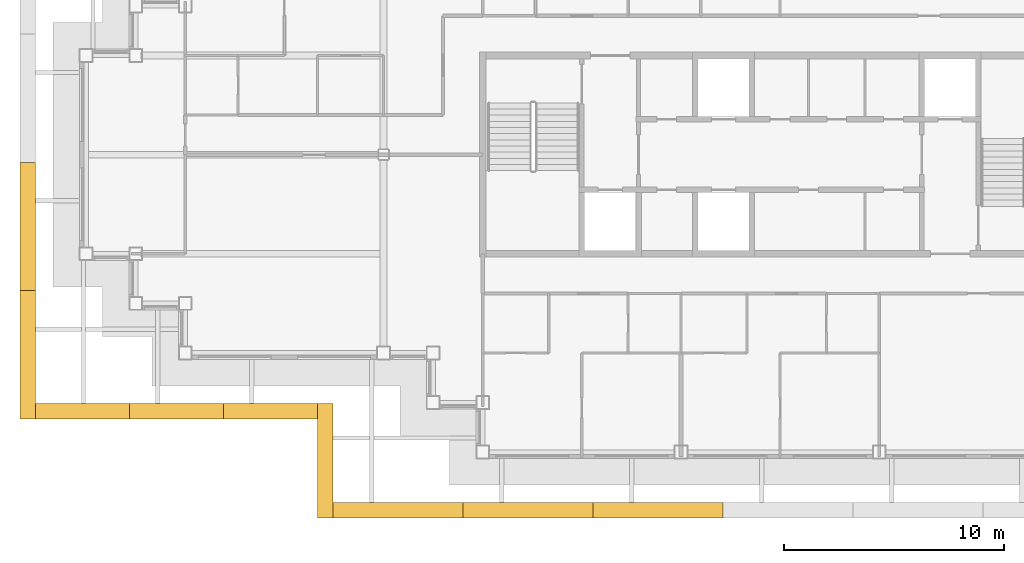
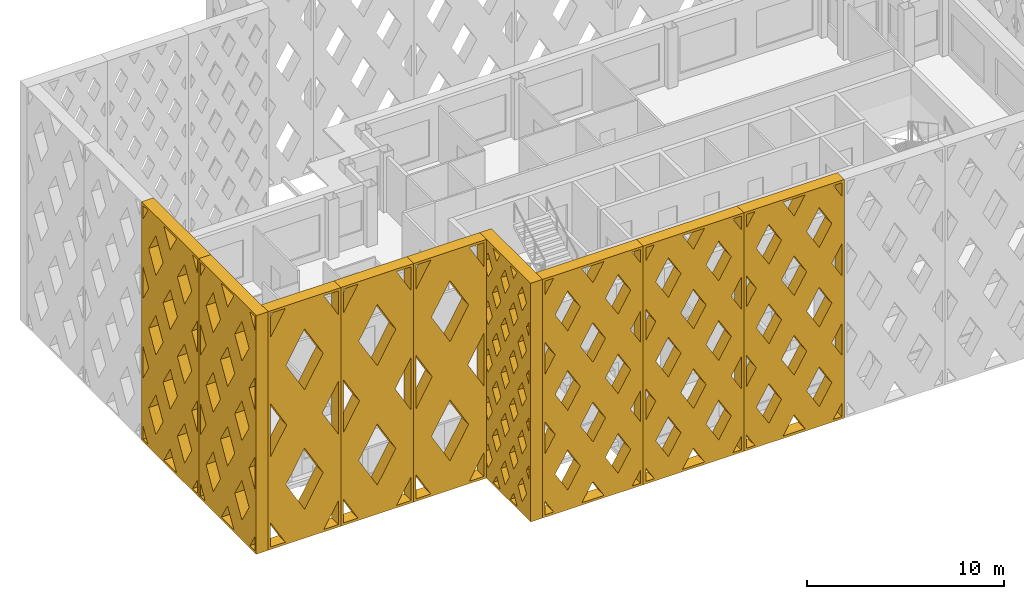
# One storey, part 9 of 15: 9 shading devices.
"""IFC4 building model written with IfcOpenShell, lengths in metres."""

from ifc_helpers import new_model, si_unit, direction, frame, origin, place, context, subcontext, project, spatial, polyline, outline, extrude, material, type_object, element, save


model = new_model("IFC4")

# Units and contexts
model_context = context("Model", 3, precision=1e-05, world=origin(), true_north=direction((0.0, 1.0)))
body_context = subcontext(model_context, "Body", "Model", "MODEL_VIEW")
ifc_project = project(units=[si_unit("LENGTHUNIT", "METRE"), si_unit("AREAUNIT", "SQUARE_METRE"), si_unit("VOLUMEUNIT", "CUBIC_METRE"), si_unit("PLANEANGLEUNIT", "RADIAN"), si_unit("MASSUNIT", "GRAM", prefix="KILO")], contexts=[model_context])

# Site, building, storey
site_placement = place(None, origin())
site = spatial("IfcSite", under=ifc_project, at=site_placement, CompositionType="ELEMENT")
building_placement = place(site_placement, origin())
building = spatial("IfcBuilding", under=site, at=building_placement, Name="Caravel Reach Hotel and Residences", CompositionType="ELEMENT")
storey_placement = place(building_placement, frame((0.0, 0.0, 252.699951171875)))
storey = spatial("IfcBuildingStorey", under=building, at=storey_placement, Name="L64", CompositionType="ELEMENT", Elevation=252.699951171875)

# Shading devices
ifc_material_1 = material(Name="Black powder-coated aluminium", Category="aluminium")
shading_device_type_1 = type_object("IfcShadingDeviceType", Name="Diamond lattice screen panel 4267 x 14800", PredefinedType="USERDEFINED", material=ifc_material_1)
for number, where, z_axis, x_axis, name in (
    (1, (-2.300048828125, 15.699951171875, 0.0), (0.0, -1.0, 0.0), (1.0, 0.0, 0.0), "Lattice screen L64-L67 1.1"),
    (2, (1.966552734375, 15.699951171875, 0.0), (0.0, -1.0, 0.0), (1.0, 0.0, 0.0), "Lattice screen L64-L67 1.2"),
    (3, (6.2333984375, 15.699951171875, 0.0), (0.0, -1.0, 0.0), (1.0, 0.0, 0.0), "Lattice screen L64-L67 1.3"),
):
    element("IfcShadingDevice", number, at=place(storey_placement, frame(where, z_axis=z_axis, x_axis=x_axis)), inside=storey, type_object=shading_device_type_1, Name=name, ObjectType="SCREEN", PredefinedType="USERDEFINED", context=body_context, shape_type="SweptSolid", body=[
        extrude(outline(polyline([(0.0, 0.0), (4.2666015625, 0.0), (4.2666015625, 14.800048828125), (0.0, 14.800048828125), (0.0, 0.0)]), holes=[polyline([(1.005615234375, 0.14990234375), (0.14990234375, 1.634033203125), (0.14990234375, 0.14990234375), (1.005615234375, 0.14990234375)]), polyline([(1.092041015625, 7.39990234375), (0.14990234375, 9.033935546875), (0.14990234375, 5.76611328125), (1.092041015625, 7.39990234375)]), polyline([(0.14990234375, 13.166015625), (1.005615234375, 14.64990234375), (0.14990234375, 14.64990234375), (0.14990234375, 13.166015625)]), polyline([(2.13330078125, 5.593994140625), (1.041259765625, 3.699951171875), (2.13330078125, 1.805908203125), (3.225341796875, 3.699951171875), (2.13330078125, 5.593994140625)]), polyline([(2.13330078125, 12.994140625), (1.041259765625, 11.10009765625), (2.13330078125, 9.205810546875), (3.225341796875, 11.10009765625), (2.13330078125, 12.994140625)]), polyline([(4.11669921875, 1.634033203125), (3.260986328125, 0.14990234375), (4.11669921875, 0.14990234375), (4.11669921875, 1.634033203125)]), polyline([(3.174560546875, 7.39990234375), (4.11669921875, 5.76611328125), (4.11669921875, 9.033935546875), (3.174560546875, 7.39990234375)]), polyline([(3.260986328125, 14.64990234375), (4.11669921875, 13.166015625), (4.11669921875, 14.64990234375), (3.260986328125, 14.64990234375)])]), origin(), (0.0, 0.0, 1.0), 0.699951171875),
    ])
ifc_material_2 = material(Name="Black powder-coated aluminium", Category="aluminium")
shading_device_type_2 = type_object("IfcShadingDeviceType", Name="Diamond lattice screen panel 5200 x 14800", PredefinedType="USERDEFINED", material=ifc_material_2)
shading_device_1_placement = place(storey_placement, frame((11.199951171875, 15.699951171875, 0.0), z_axis=(-1.0, 0.0, 0.0), x_axis=(0.0, -1.0, 0.0)))
element("IfcShadingDevice", 4, at=shading_device_1_placement, inside=storey, type_object=shading_device_type_2, Name="Lattice screen L64-L67 2.1", ObjectType="SCREEN", PredefinedType="USERDEFINED", context=body_context, shape_type="SweptSolid", body=[
    extrude(outline(polyline([(0.0, 0.0), (5.199951171875, 0.0), (5.199951171875, 14.800048828125), (0.0, 14.800048828125), (0.0, 0.0)]), holes=[polyline([(0.436767578125, 2.9599609375), (0.14990234375, 3.449462890625), (0.14990234375, 2.470458984375), (0.436767578125, 2.9599609375)]), polyline([(0.436767578125, 5.919921875), (0.14990234375, 6.409423828125), (0.14990234375, 5.430419921875), (0.436767578125, 5.919921875)]), polyline([(0.436767578125, 8.8798828125), (0.14990234375, 9.36962890625), (0.14990234375, 8.390380859375), (0.436767578125, 8.8798828125)]), polyline([(0.436767578125, 11.840087890625), (0.14990234375, 12.32958984375), (0.14990234375, 11.3505859375), (0.436767578125, 11.840087890625)]), polyline([(0.86669921875, 2.2255859375), (0.429931640625, 1.47998046875), (0.86669921875, 0.734375), (1.30322265625, 1.47998046875), (0.86669921875, 2.2255859375)]), polyline([(0.86669921875, 5.185791015625), (0.429931640625, 4.43994140625), (0.86669921875, 3.6943359375), (1.30322265625, 4.43994140625), (0.86669921875, 5.185791015625)]), polyline([(0.86669921875, 8.145751953125), (0.429931640625, 7.39990234375), (0.86669921875, 6.654296875), (1.30322265625, 7.39990234375), (0.86669921875, 8.145751953125)]), polyline([(0.86669921875, 11.105712890625), (0.429931640625, 10.360107421875), (0.86669921875, 9.6142578125), (1.30322265625, 10.360107421875), (0.86669921875, 11.105712890625)]), polyline([(0.86669921875, 14.065673828125), (0.429931640625, 13.320068359375), (0.86669921875, 12.57421875), (1.30322265625, 13.320068359375), (0.86669921875, 14.065673828125)]), polyline([(1.7333984375, 0.74560546875), (1.384521484375, 0.14990234375), (2.08203125, 0.14990234375), (1.7333984375, 0.74560546875)]), polyline([(1.7333984375, 3.70556640625), (1.296630859375, 2.9599609375), (1.7333984375, 2.21435546875), (2.169921875, 2.9599609375), (1.7333984375, 3.70556640625)]), polyline([(1.7333984375, 6.665771484375), (1.296630859375, 5.919921875), (1.7333984375, 5.17431640625), (2.169921875, 5.919921875), (1.7333984375, 6.665771484375)]), polyline([(1.7333984375, 9.625732421875), (1.296630859375, 8.8798828125), (1.7333984375, 8.13427734375), (2.169921875, 8.8798828125), (1.7333984375, 9.625732421875)]), polyline([(1.7333984375, 12.585693359375), (1.296630859375, 11.840087890625), (1.7333984375, 11.09423828125), (2.169921875, 11.840087890625), (1.7333984375, 12.585693359375)]), polyline([(1.7333984375, 14.054443359375), (2.08203125, 14.64990234375), (1.384521484375, 14.64990234375), (1.7333984375, 14.054443359375)]), polyline([(2.60009765625, 2.2255859375), (2.163330078125, 1.47998046875), (2.60009765625, 0.734375), (3.03662109375, 1.47998046875), (2.60009765625, 2.2255859375)]), polyline([(2.60009765625, 5.185791015625), (2.163330078125, 4.43994140625), (2.60009765625, 3.6943359375), (3.03662109375, 4.43994140625), (2.60009765625, 5.185791015625)]), polyline([(2.60009765625, 8.145751953125), (2.163330078125, 7.39990234375), (2.60009765625, 6.654296875), (3.03662109375, 7.39990234375), (2.60009765625, 8.145751953125)]), polyline([(2.60009765625, 11.105712890625), (2.163330078125, 10.360107421875), (2.60009765625, 9.6142578125), (3.03662109375, 10.360107421875), (2.60009765625, 11.105712890625)]), polyline([(2.60009765625, 14.065673828125), (2.163330078125, 13.320068359375), (2.60009765625, 12.57421875), (3.03662109375, 13.320068359375), (2.60009765625, 14.065673828125)]), polyline([(3.466552734375, 0.74560546875), (3.117919921875, 0.14990234375), (3.8154296875, 0.14990234375), (3.466552734375, 0.74560546875)]), polyline([(3.466552734375, 3.70556640625), (3.030029296875, 2.9599609375), (3.466552734375, 2.21435546875), (3.9033203125, 2.9599609375), (3.466552734375, 3.70556640625)]), polyline([(3.466552734375, 6.665771484375), (3.030029296875, 5.919921875), (3.466552734375, 5.17431640625), (3.9033203125, 5.919921875), (3.466552734375, 6.665771484375)]), polyline([(3.466552734375, 9.625732421875), (3.030029296875, 8.8798828125), (3.466552734375, 8.13427734375), (3.9033203125, 8.8798828125), (3.466552734375, 9.625732421875)]), polyline([(3.466552734375, 12.585693359375), (3.030029296875, 11.840087890625), (3.466552734375, 11.09423828125), (3.9033203125, 11.840087890625), (3.466552734375, 12.585693359375)]), polyline([(3.466552734375, 14.054443359375), (3.8154296875, 14.64990234375), (3.117919921875, 14.64990234375), (3.466552734375, 14.054443359375)]), polyline([(4.333251953125, 2.2255859375), (3.896728515625, 1.47998046875), (4.333251953125, 0.734375), (4.77001953125, 1.47998046875), (4.333251953125, 2.2255859375)]), polyline([(4.333251953125, 5.185791015625), (3.896728515625, 4.43994140625), (4.333251953125, 3.6943359375), (4.77001953125, 4.43994140625), (4.333251953125, 5.185791015625)]), polyline([(4.333251953125, 8.145751953125), (3.896728515625, 7.39990234375), (4.333251953125, 6.654296875), (4.77001953125, 7.39990234375), (4.333251953125, 8.145751953125)]), polyline([(4.333251953125, 11.105712890625), (3.896728515625, 10.360107421875), (4.333251953125, 9.6142578125), (4.77001953125, 10.360107421875), (4.333251953125, 11.105712890625)]), polyline([(4.333251953125, 14.065673828125), (3.896728515625, 13.320068359375), (4.333251953125, 12.57421875), (4.77001953125, 13.320068359375), (4.333251953125, 14.065673828125)]), polyline([(4.763427734375, 2.9599609375), (5.050048828125, 2.470458984375), (5.050048828125, 3.449462890625), (4.763427734375, 2.9599609375)]), polyline([(4.763427734375, 5.919921875), (5.050048828125, 5.430419921875), (5.050048828125, 6.409423828125), (4.763427734375, 5.919921875)]), polyline([(4.763427734375, 8.8798828125), (5.050048828125, 8.390380859375), (5.050048828125, 9.36962890625), (4.763427734375, 8.8798828125)]), polyline([(4.763427734375, 11.840087890625), (5.050048828125, 11.3505859375), (5.050048828125, 12.32958984375), (4.763427734375, 11.840087890625)])]), origin(), (0.0, 0.0, 1.0), 0.699951171875),
])
ifc_material_3 = material(Name="Black powder-coated aluminium", Category="aluminium")
shading_device_type_3 = type_object("IfcShadingDeviceType", Name="Diamond lattice screen panel 5825 x 14800", PredefinedType="USERDEFINED", material=ifc_material_3)
shading_device_2_placement = place(storey_placement, frame((-2.300048828125, 26.64990234375, 0.0), z_axis=(-1.0, 0.0, 0.0), x_axis=(0.0, -1.0, 0.0)))
element("IfcShadingDevice", 5, at=shading_device_2_placement, inside=storey, type_object=shading_device_type_3, Name="Lattice screen L64-L67 8.3", ObjectType="SCREEN", PredefinedType="USERDEFINED", context=body_context, shape_type="SweptSolid", body=[
    extrude(outline(polyline([(0.0, 0.0), (5.824951171875, 0.0), (5.824951171875, 14.800048828125), (0.0, 14.800048828125), (0.0, 0.0)]), holes=[polyline([(0.64208984375, 0.14990234375), (0.14990234375, 0.9833984375), (0.14990234375, 0.14990234375), (0.64208984375, 0.14990234375)]), polyline([(0.730712890625, 4.933349609375), (0.14990234375, 5.916748046875), (0.14990234375, 3.949951171875), (0.730712890625, 4.933349609375)]), polyline([(0.730712890625, 9.86669921875), (0.14990234375, 10.85009765625), (0.14990234375, 8.88330078125), (0.730712890625, 9.86669921875)]), polyline([(0.14990234375, 13.816650390625), (0.64208984375, 14.64990234375), (0.14990234375, 14.64990234375), (0.14990234375, 13.816650390625)]), polyline([(1.456298828125, 3.7041015625), (0.7255859375, 2.466552734375), (1.456298828125, 1.229248046875), (2.186767578125, 2.466552734375), (1.456298828125, 3.7041015625)]), polyline([(1.456298828125, 8.637451171875), (0.7255859375, 7.39990234375), (1.456298828125, 6.16259765625), (2.186767578125, 7.39990234375), (1.456298828125, 8.637451171875)]), polyline([(1.456298828125, 13.57080078125), (0.7255859375, 12.333251953125), (1.456298828125, 11.095703125), (2.186767578125, 12.333251953125), (1.456298828125, 13.57080078125)]), polyline([(2.91259765625, 1.237548828125), (2.2705078125, 0.14990234375), (3.554443359375, 0.14990234375), (2.91259765625, 1.237548828125)]), polyline([(2.91259765625, 6.1708984375), (2.181884765625, 4.933349609375), (2.91259765625, 3.69580078125), (3.64306640625, 4.933349609375), (2.91259765625, 6.1708984375)]), polyline([(2.91259765625, 11.104248046875), (2.181884765625, 9.86669921875), (2.91259765625, 8.629150390625), (3.64306640625, 9.86669921875), (2.91259765625, 11.104248046875)]), polyline([(2.91259765625, 13.5625), (3.554443359375, 14.64990234375), (2.2705078125, 14.64990234375), (2.91259765625, 13.5625)]), polyline([(4.36865234375, 3.7041015625), (3.63818359375, 2.466552734375), (4.36865234375, 1.229248046875), (5.099365234375, 2.466552734375), (4.36865234375, 3.7041015625)]), polyline([(4.36865234375, 8.637451171875), (3.63818359375, 7.39990234375), (4.36865234375, 6.16259765625), (5.099365234375, 7.39990234375), (4.36865234375, 8.637451171875)]), polyline([(4.36865234375, 13.57080078125), (3.63818359375, 12.333251953125), (4.36865234375, 11.095703125), (5.099365234375, 12.333251953125), (4.36865234375, 13.57080078125)]), polyline([(5.675048828125, 0.9833984375), (5.182861328125, 0.14990234375), (5.675048828125, 0.14990234375), (5.675048828125, 0.9833984375)]), polyline([(5.094482421875, 4.933349609375), (5.675048828125, 3.949951171875), (5.675048828125, 5.916748046875), (5.094482421875, 4.933349609375)]), polyline([(5.094482421875, 9.86669921875), (5.675048828125, 8.88330078125), (5.675048828125, 10.85009765625), (5.094482421875, 9.86669921875)]), polyline([(5.182861328125, 14.64990234375), (5.675048828125, 13.816650390625), (5.675048828125, 14.64990234375), (5.182861328125, 14.64990234375)])]), origin(), (0.0, 0.0, 1.0), 0.699951171875),
])
shading_device_3_placement = place(storey_placement, frame((-2.300048828125, 20.824951171875, 0.0), z_axis=(-1.0, 0.0, 0.0), x_axis=(0.0, -1.0, 0.0)))
element("IfcShadingDevice", 6, at=shading_device_3_placement, inside=storey, type_object=shading_device_type_3, Name="Lattice screen L64-L67 8.4", ObjectType="SCREEN", PredefinedType="USERDEFINED", context=body_context, shape_type="SweptSolid", body=[
    extrude(outline(polyline([(0.0, 0.0), (5.824951171875, 0.0), (5.824951171875, 14.800048828125), (0.0, 14.800048828125), (0.0, 0.0)]), holes=[polyline([(0.64208984375, 0.14990234375), (0.14990234375, 0.9833984375), (0.14990234375, 0.14990234375), (0.64208984375, 0.14990234375)]), polyline([(0.730712890625, 4.933349609375), (0.14990234375, 5.916748046875), (0.14990234375, 3.949951171875), (0.730712890625, 4.933349609375)]), polyline([(0.730712890625, 9.86669921875), (0.14990234375, 10.85009765625), (0.14990234375, 8.88330078125), (0.730712890625, 9.86669921875)]), polyline([(0.14990234375, 13.816650390625), (0.64208984375, 14.64990234375), (0.14990234375, 14.64990234375), (0.14990234375, 13.816650390625)]), polyline([(1.456298828125, 3.7041015625), (0.7255859375, 2.466552734375), (1.456298828125, 1.229248046875), (2.186767578125, 2.466552734375), (1.456298828125, 3.7041015625)]), polyline([(1.456298828125, 8.637451171875), (0.7255859375, 7.39990234375), (1.456298828125, 6.16259765625), (2.186767578125, 7.39990234375), (1.456298828125, 8.637451171875)]), polyline([(1.456298828125, 13.57080078125), (0.7255859375, 12.333251953125), (1.456298828125, 11.095703125), (2.186767578125, 12.333251953125), (1.456298828125, 13.57080078125)]), polyline([(2.91259765625, 1.237548828125), (2.2705078125, 0.14990234375), (3.554443359375, 0.14990234375), (2.91259765625, 1.237548828125)]), polyline([(2.91259765625, 6.1708984375), (2.181884765625, 4.933349609375), (2.91259765625, 3.69580078125), (3.64306640625, 4.933349609375), (2.91259765625, 6.1708984375)]), polyline([(2.91259765625, 11.104248046875), (2.181884765625, 9.86669921875), (2.91259765625, 8.629150390625), (3.64306640625, 9.86669921875), (2.91259765625, 11.104248046875)]), polyline([(2.91259765625, 13.5625), (3.554443359375, 14.64990234375), (2.2705078125, 14.64990234375), (2.91259765625, 13.5625)]), polyline([(4.36865234375, 3.7041015625), (3.63818359375, 2.466552734375), (4.36865234375, 1.229248046875), (5.099365234375, 2.466552734375), (4.36865234375, 3.7041015625)]), polyline([(4.36865234375, 8.637451171875), (3.63818359375, 7.39990234375), (4.36865234375, 6.16259765625), (5.099365234375, 7.39990234375), (4.36865234375, 8.637451171875)]), polyline([(4.36865234375, 13.57080078125), (3.63818359375, 12.333251953125), (4.36865234375, 11.095703125), (5.099365234375, 12.333251953125), (4.36865234375, 13.57080078125)]), polyline([(5.675048828125, 0.9833984375), (5.182861328125, 0.14990234375), (5.675048828125, 0.14990234375), (5.675048828125, 0.9833984375)]), polyline([(5.094482421875, 4.933349609375), (5.675048828125, 3.949951171875), (5.675048828125, 5.916748046875), (5.094482421875, 4.933349609375)]), polyline([(5.094482421875, 9.86669921875), (5.675048828125, 8.88330078125), (5.675048828125, 10.85009765625), (5.094482421875, 9.86669921875)]), polyline([(5.182861328125, 14.64990234375), (5.675048828125, 13.816650390625), (5.675048828125, 14.64990234375), (5.182861328125, 14.64990234375)])]), origin(), (0.0, 0.0, 1.0), 0.699951171875),
])
ifc_material_4 = material(Name="Black powder-coated aluminium", Category="aluminium")
shading_device_type_4 = type_object("IfcShadingDeviceType", Name="Diamond lattice screen panel 5900 x 14800", PredefinedType="USERDEFINED", material=ifc_material_4)
shading_device_4_placement = place(storey_placement, frame((11.199951171875, 11.199951171875, 0.0), z_axis=(0.0, -1.0, 0.0), x_axis=(1.0, 0.0, 0.0)))
element("IfcShadingDevice", 7, at=shading_device_4_placement, inside=storey, type_object=shading_device_type_4, Name="Lattice screen L64-L67 3.1", ObjectType="SCREEN", PredefinedType="USERDEFINED", context=body_context, shape_type="SweptSolid", body=[
    extrude(outline(polyline([(0.0, 0.0), (5.89990234375, 0.0), (5.89990234375, 14.800048828125), (0.0, 14.800048828125), (0.0, 0.0)]), holes=[polyline([(0.64990234375, 0.14990234375), (0.14990234375, 0.986083984375), (0.14990234375, 0.14990234375), (0.64990234375, 0.14990234375)]), polyline([(0.739501953125, 4.933349609375), (0.14990234375, 5.91943359375), (0.14990234375, 3.947265625), (0.739501953125, 4.933349609375)]), polyline([(0.739501953125, 9.86669921875), (0.14990234375, 10.852783203125), (0.14990234375, 8.880615234375), (0.739501953125, 9.86669921875)]), polyline([(0.14990234375, 13.81396484375), (0.64990234375, 14.64990234375), (0.14990234375, 14.64990234375), (0.14990234375, 13.81396484375)]), polyline([(1.47509765625, 3.70361328125), (0.7353515625, 2.466552734375), (1.47509765625, 1.229736328125), (2.214599609375, 2.466552734375), (1.47509765625, 3.70361328125)]), polyline([(1.47509765625, 8.636962890625), (0.7353515625, 7.39990234375), (1.47509765625, 6.1630859375), (2.214599609375, 7.39990234375), (1.47509765625, 8.636962890625)]), polyline([(1.47509765625, 13.570068359375), (0.7353515625, 12.333251953125), (1.47509765625, 11.096435546875), (2.214599609375, 12.333251953125), (1.47509765625, 13.570068359375)]), polyline([(2.949951171875, 1.23681640625), (2.300048828125, 0.14990234375), (3.599853515625, 0.14990234375), (2.949951171875, 1.23681640625)]), polyline([(2.949951171875, 6.170166015625), (2.21044921875, 4.933349609375), (2.949951171875, 3.696533203125), (3.689697265625, 4.933349609375), (2.949951171875, 6.170166015625)]), polyline([(2.949951171875, 11.103515625), (2.21044921875, 9.86669921875), (2.949951171875, 8.6298828125), (3.689697265625, 9.86669921875), (2.949951171875, 11.103515625)]), polyline([(2.949951171875, 13.563232421875), (3.599853515625, 14.64990234375), (2.300048828125, 14.64990234375), (2.949951171875, 13.563232421875)]), polyline([(4.425048828125, 3.70361328125), (3.685302734375, 2.466552734375), (4.425048828125, 1.229736328125), (5.16455078125, 2.466552734375), (4.425048828125, 3.70361328125)]), polyline([(4.425048828125, 8.636962890625), (3.685302734375, 7.39990234375), (4.425048828125, 6.1630859375), (5.16455078125, 7.39990234375), (4.425048828125, 8.636962890625)]), polyline([(4.425048828125, 13.570068359375), (3.685302734375, 12.333251953125), (4.425048828125, 11.096435546875), (5.16455078125, 12.333251953125), (4.425048828125, 13.570068359375)]), polyline([(5.75, 0.986083984375), (5.25, 0.14990234375), (5.75, 0.14990234375), (5.75, 0.986083984375)]), polyline([(5.160400390625, 4.933349609375), (5.75, 3.947265625), (5.75, 5.91943359375), (5.160400390625, 4.933349609375)]), polyline([(5.160400390625, 9.86669921875), (5.75, 8.880615234375), (5.75, 10.852783203125), (5.160400390625, 9.86669921875)]), polyline([(5.25, 14.64990234375), (5.75, 13.81396484375), (5.75, 14.64990234375), (5.25, 14.64990234375)])]), origin(), (0.0, 0.0, 1.0), 0.699951171875),
])
shading_device_5_placement = place(storey_placement, frame((17.10009765625, 11.199951171875, 0.0), z_axis=(0.0, -1.0, 0.0), x_axis=(1.0, 0.0, 0.0)))
element("IfcShadingDevice", 8, at=shading_device_5_placement, inside=storey, type_object=shading_device_type_4, Name="Lattice screen L64-L67 3.2", ObjectType="SCREEN", PredefinedType="USERDEFINED", context=body_context, shape_type="SweptSolid", body=[
    extrude(outline(polyline([(0.0, 0.0), (5.89990234375, 0.0), (5.89990234375, 14.800048828125), (0.0, 14.800048828125), (0.0, 0.0)]), holes=[polyline([(0.64990234375, 0.14990234375), (0.14990234375, 0.986083984375), (0.14990234375, 0.14990234375), (0.64990234375, 0.14990234375)]), polyline([(0.739501953125, 4.933349609375), (0.14990234375, 5.91943359375), (0.14990234375, 3.947265625), (0.739501953125, 4.933349609375)]), polyline([(0.739501953125, 9.86669921875), (0.14990234375, 10.852783203125), (0.14990234375, 8.880615234375), (0.739501953125, 9.86669921875)]), polyline([(0.14990234375, 13.81396484375), (0.64990234375, 14.64990234375), (0.14990234375, 14.64990234375), (0.14990234375, 13.81396484375)]), polyline([(1.47509765625, 3.70361328125), (0.7353515625, 2.466552734375), (1.47509765625, 1.229736328125), (2.214599609375, 2.466552734375), (1.47509765625, 3.70361328125)]), polyline([(1.47509765625, 8.636962890625), (0.7353515625, 7.39990234375), (1.47509765625, 6.1630859375), (2.214599609375, 7.39990234375), (1.47509765625, 8.636962890625)]), polyline([(1.47509765625, 13.570068359375), (0.7353515625, 12.333251953125), (1.47509765625, 11.096435546875), (2.214599609375, 12.333251953125), (1.47509765625, 13.570068359375)]), polyline([(2.949951171875, 1.23681640625), (2.300048828125, 0.14990234375), (3.599853515625, 0.14990234375), (2.949951171875, 1.23681640625)]), polyline([(2.949951171875, 6.170166015625), (2.21044921875, 4.933349609375), (2.949951171875, 3.696533203125), (3.689697265625, 4.933349609375), (2.949951171875, 6.170166015625)]), polyline([(2.949951171875, 11.103515625), (2.21044921875, 9.86669921875), (2.949951171875, 8.6298828125), (3.689697265625, 9.86669921875), (2.949951171875, 11.103515625)]), polyline([(2.949951171875, 13.563232421875), (3.599853515625, 14.64990234375), (2.300048828125, 14.64990234375), (2.949951171875, 13.563232421875)]), polyline([(4.425048828125, 3.70361328125), (3.685302734375, 2.466552734375), (4.425048828125, 1.229736328125), (5.16455078125, 2.466552734375), (4.425048828125, 3.70361328125)]), polyline([(4.425048828125, 8.636962890625), (3.685302734375, 7.39990234375), (4.425048828125, 6.1630859375), (5.16455078125, 7.39990234375), (4.425048828125, 8.636962890625)]), polyline([(4.425048828125, 13.570068359375), (3.685302734375, 12.333251953125), (4.425048828125, 11.096435546875), (5.16455078125, 12.333251953125), (4.425048828125, 13.570068359375)]), polyline([(5.75, 0.986083984375), (5.25, 0.14990234375), (5.75, 0.14990234375), (5.75, 0.986083984375)]), polyline([(5.160400390625, 4.933349609375), (5.75, 3.947265625), (5.75, 5.91943359375), (5.160400390625, 4.933349609375)]), polyline([(5.160400390625, 9.86669921875), (5.75, 8.880615234375), (5.75, 10.852783203125), (5.160400390625, 9.86669921875)]), polyline([(5.25, 14.64990234375), (5.75, 13.81396484375), (5.75, 14.64990234375), (5.25, 14.64990234375)])]), origin(), (0.0, 0.0, 1.0), 0.699951171875),
])
shading_device_6_placement = place(storey_placement, frame((23.0, 11.199951171875, 0.0), z_axis=(0.0, -1.0, 0.0), x_axis=(1.0, 0.0, 0.0)))
element("IfcShadingDevice", 9, at=shading_device_6_placement, inside=storey, type_object=shading_device_type_4, Name="Lattice screen L64-L67 3.3", ObjectType="SCREEN", PredefinedType="USERDEFINED", context=body_context, shape_type="SweptSolid", body=[
    extrude(outline(polyline([(0.0, 0.0), (5.89990234375, 0.0), (5.89990234375, 14.800048828125), (0.0, 14.800048828125), (0.0, 0.0)]), holes=[polyline([(0.64990234375, 0.14990234375), (0.14990234375, 0.986083984375), (0.14990234375, 0.14990234375), (0.64990234375, 0.14990234375)]), polyline([(0.739501953125, 4.933349609375), (0.14990234375, 5.91943359375), (0.14990234375, 3.947265625), (0.739501953125, 4.933349609375)]), polyline([(0.739501953125, 9.86669921875), (0.14990234375, 10.852783203125), (0.14990234375, 8.880615234375), (0.739501953125, 9.86669921875)]), polyline([(0.14990234375, 13.81396484375), (0.64990234375, 14.64990234375), (0.14990234375, 14.64990234375), (0.14990234375, 13.81396484375)]), polyline([(1.47509765625, 3.70361328125), (0.7353515625, 2.466552734375), (1.47509765625, 1.229736328125), (2.214599609375, 2.466552734375), (1.47509765625, 3.70361328125)]), polyline([(1.47509765625, 8.636962890625), (0.7353515625, 7.39990234375), (1.47509765625, 6.1630859375), (2.214599609375, 7.39990234375), (1.47509765625, 8.636962890625)]), polyline([(1.47509765625, 13.570068359375), (0.7353515625, 12.333251953125), (1.47509765625, 11.096435546875), (2.214599609375, 12.333251953125), (1.47509765625, 13.570068359375)]), polyline([(2.949951171875, 1.23681640625), (2.300048828125, 0.14990234375), (3.599853515625, 0.14990234375), (2.949951171875, 1.23681640625)]), polyline([(2.949951171875, 6.170166015625), (2.21044921875, 4.933349609375), (2.949951171875, 3.696533203125), (3.689697265625, 4.933349609375), (2.949951171875, 6.170166015625)]), polyline([(2.949951171875, 11.103515625), (2.21044921875, 9.86669921875), (2.949951171875, 8.6298828125), (3.689697265625, 9.86669921875), (2.949951171875, 11.103515625)]), polyline([(2.949951171875, 13.563232421875), (3.599853515625, 14.64990234375), (2.300048828125, 14.64990234375), (2.949951171875, 13.563232421875)]), polyline([(4.425048828125, 3.70361328125), (3.685302734375, 2.466552734375), (4.425048828125, 1.229736328125), (5.16455078125, 2.466552734375), (4.425048828125, 3.70361328125)]), polyline([(4.425048828125, 8.636962890625), (3.685302734375, 7.39990234375), (4.425048828125, 6.1630859375), (5.16455078125, 7.39990234375), (4.425048828125, 8.636962890625)]), polyline([(4.425048828125, 13.570068359375), (3.685302734375, 12.333251953125), (4.425048828125, 11.096435546875), (5.16455078125, 12.333251953125), (4.425048828125, 13.570068359375)]), polyline([(5.75, 0.986083984375), (5.25, 0.14990234375), (5.75, 0.14990234375), (5.75, 0.986083984375)]), polyline([(5.160400390625, 4.933349609375), (5.75, 3.947265625), (5.75, 5.91943359375), (5.160400390625, 4.933349609375)]), polyline([(5.160400390625, 9.86669921875), (5.75, 8.880615234375), (5.75, 10.852783203125), (5.160400390625, 9.86669921875)]), polyline([(5.25, 14.64990234375), (5.75, 13.81396484375), (5.75, 14.64990234375), (5.25, 14.64990234375)])]), origin(), (0.0, 0.0, 1.0), 0.699951171875),
])

save(model, "model.ifc")
